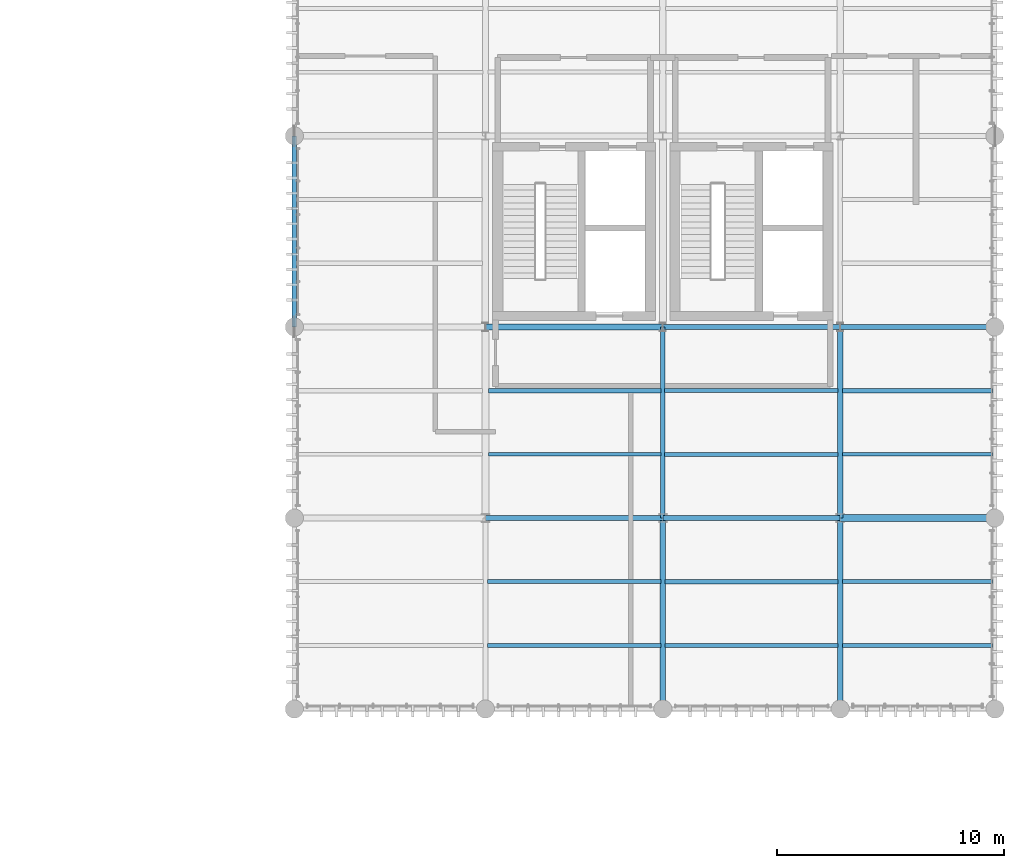
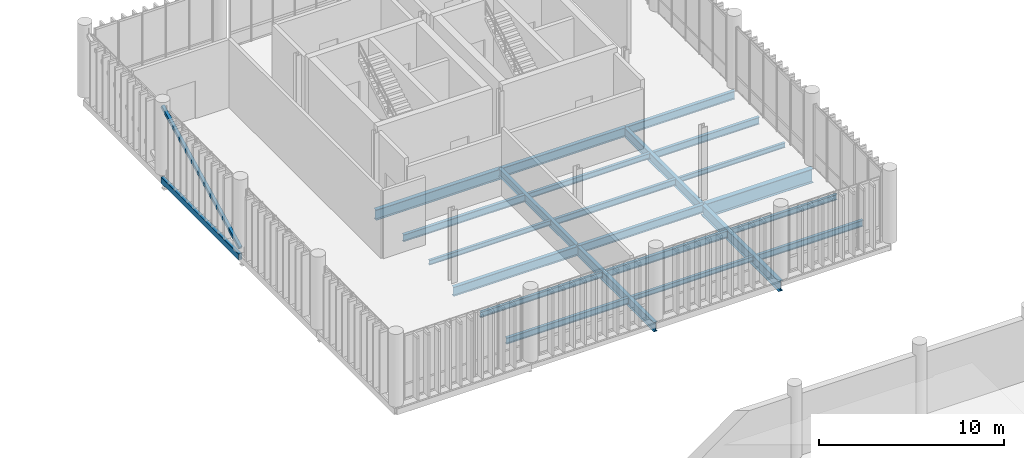
# One storey, part 56 of 94: 23 beams, 1 member.
"""IFC4 building model written with IfcOpenShell, lengths in metres."""

from ifc_helpers import new_model, si_unit, direction, frame, origin_with_axes, origin_2d_with_axis, place, context, subcontext, project, spatial, hollow_rectangle, i_section, extrude, material, material_profile, profile_set, type_object, element, save


model = new_model("IFC4")

# Units and contexts
model_context = context("Model", 3, precision=1e-05, world=origin_with_axes(), true_north=direction((0.0, 1.0)))
body_context = subcontext(model_context, "Body", "Model", "MODEL_VIEW")
ifc_project = project(units=[si_unit("LENGTHUNIT", "METRE"), si_unit("AREAUNIT", "SQUARE_METRE"), si_unit("VOLUMEUNIT", "CUBIC_METRE"), si_unit("PLANEANGLEUNIT", "RADIAN"), si_unit("MASSUNIT", "GRAM", prefix="KILO"), si_unit("THERMODYNAMICTEMPERATUREUNIT", "KELVIN")], contexts=[model_context])

# Site, building, storey
site_placement = place(None, origin_with_axes())
site = spatial("IfcSite", under=ifc_project, at=site_placement, CompositionType="ELEMENT")
building_placement = place(site_placement, origin_with_axes())
building = spatial("IfcBuilding", under=site, at=building_placement, Name="Montbau Bow Law Courts", CompositionType="ELEMENT")
storey_placement = place(building_placement, frame((0.0, 0.0, 15.6), z_axis=(0.0, 0.0, 1.0), x_axis=(1.0, 0.0, 0.0)))
storey = spatial("IfcBuildingStorey", under=building, at=storey_placement, Name="L03", CompositionType="ELEMENT", Elevation=15.6)

# Beams
ifc_material_1 = material(Name="Steel CSA G40.21 Grade 350W (350 MPa)", Category="steel")
ifc_material_profile_1 = material_profile(ifc_material_1, i_section(OverallWidth=0.306, OverallDepth=0.919, WebThickness=0.0173, FlangeThickness=0.0279, at=origin_2d_with_axis()), Name="W920X253", Category="Main", Priority=0)
ifc_profile_set_1 = profile_set([ifc_material_profile_1], Name="Steel CSA G40.21 Grade 350W (350 MPa)")
beam_type_1 = type_object("IfcBeamType", Name="B-FLR-01", PredefinedType="BEAM", material=ifc_profile_set_1)
beam_1_placement = place(None, frame((162.6, 78.0, 14.8), z_axis=(1.0, 0.0, 0.0), x_axis=(0.0, 1.0, 0.0)))
element("IfcBeam", 1, at=beam_1_placement, inside=storey, type_object=beam_type_1, Name="BM-L03-S1212:bm2_1215", PredefinedType="BEAM", context=body_context, shape_type="SweptSolid", body=[
    extrude(i_section(OverallWidth=0.306, OverallDepth=0.919, WebThickness=0.0173, FlangeThickness=0.0279, at=origin_2d_with_axis()), origin_with_axes(), (0.0, 0.0, 1.0), 6.8),
])
ifc_material_profile_2 = material_profile(ifc_material_1, i_section(OverallWidth=0.254, OverallDepth=0.688, WebThickness=0.0131, FlangeThickness=0.0211, at=origin_2d_with_axis()), Name="W690X152", Category="Main", Priority=0)
ifc_profile_set_2 = profile_set([ifc_material_profile_2], Name="Steel CSA G40.21 Grade 350W (350 MPa)")
beam_type_2 = type_object("IfcBeamType", Name="B-FLR-04", PredefinedType="BEAM", material=ifc_profile_set_2)
beam_2_placement = place(None, frame((147.0, 86.4, 14.916), z_axis=(1.0, 0.0, 0.0), x_axis=(0.0, 1.0, 0.0)))
element("IfcBeam", 2, at=beam_2_placement, inside=storey, type_object=beam_type_2, Name="BM-L03-S1214:bm2_1217", PredefinedType="BEAM", context=body_context, shape_type="SweptSolid", body=[
    extrude(i_section(OverallWidth=0.254, OverallDepth=0.688, WebThickness=0.0131, FlangeThickness=0.0211, at=origin_2d_with_axis()), origin_with_axes(), (0.0, 0.0, 1.0), 7.8),
])
beam_3_placement = place(None, frame((162.6, 69.6, 14.916), z_axis=(0.0, 1.0, 0.0), x_axis=(-1.0, 0.0, 0.0)))
element("IfcBeam", 3, at=beam_3_placement, inside=storey, type_object=beam_type_2, Name="BM-L03-S1237:bm2_1240", PredefinedType="BEAM", context=body_context, shape_type="SweptSolid", body=[
    extrude(i_section(OverallWidth=0.254, OverallDepth=0.688, WebThickness=0.0131, FlangeThickness=0.0211, at=origin_2d_with_axis()), origin_with_axes(), (0.0, 0.0, 1.0), 8.4),
])
ifc_material_profile_3 = material_profile(ifc_material_1, i_section(OverallWidth=0.229, OverallDepth=0.612, WebThickness=0.0119, FlangeThickness=0.0196, at=origin_2d_with_axis()), Name="W610X125", Category="Main", Priority=0)
ifc_profile_set_3 = profile_set([ifc_material_profile_3], Name="Steel CSA G40.21 Grade 350W (350 MPa)")
beam_type_3 = type_object("IfcBeamType", Name="B-FLR-05", PredefinedType="BEAM", material=ifc_profile_set_3)
for number, where, z_axis, x_axis, name in (
    (4, (147.0, 78.0, 14.954), (1.0, 0.0, 0.0), (0.0, 1.0, 0.0), "BM-L03-S1210:bm2_1213"),
    (5, (154.8, 86.4, 14.954), (1.0, 0.0, 0.0), (0.0, 1.0, 0.0), "BM-L03-S1215:bm2_1218"),
):
    element("IfcBeam", number, at=place(None, frame(where, z_axis=z_axis, x_axis=x_axis)), inside=storey, type_object=beam_type_3, Name=name, PredefinedType="BEAM", context=body_context, shape_type="SweptSolid", body=[
        extrude(i_section(OverallWidth=0.229, OverallDepth=0.612, WebThickness=0.0119, FlangeThickness=0.0196, at=origin_2d_with_axis()), origin_with_axes(), (0.0, 0.0, 1.0), 7.8),
    ])
for number, where, z_axis, x_axis, name in (
    (6, (154.8, 69.6, 14.954), (0.0, 1.0, 0.0), (-1.0, 0.0, 0.0), "BM-L03-S1233:bm2_1236"),
    (7, (162.6, 78.0, 14.954), (0.0, 1.0, 0.0), (-1.0, 0.0, 0.0), "BM-L03-S1238:bm2_1241"),
):
    element("IfcBeam", number, at=place(None, frame(where, z_axis=z_axis, x_axis=x_axis)), inside=storey, type_object=beam_type_3, Name=name, PredefinedType="BEAM", context=body_context, shape_type="SweptSolid", body=[
        extrude(i_section(OverallWidth=0.229, OverallDepth=0.612, WebThickness=0.0119, FlangeThickness=0.0196, at=origin_2d_with_axis()), origin_with_axes(), (0.0, 0.0, 1.0), 8.4),
    ])
ifc_material_profile_4 = material_profile(ifc_material_1, i_section(OverallWidth=0.21, OverallDepth=0.537, WebThickness=0.0109, FlangeThickness=0.0174, at=origin_2d_with_axis()), Name="W530X101", Category="Main", Priority=0)
ifc_profile_set_4 = profile_set([ifc_material_profile_4], Name="Steel CSA G40.21 Grade 350W (350 MPa)")
beam_type_4 = type_object("IfcBeamType", Name="B-FLR-06", PredefinedType="BEAM", material=ifc_profile_set_4)
beam_4_placement = place(None, frame((154.8, 78.0, 14.992), z_axis=(1.0, 0.0, 0.0), x_axis=(0.0, 1.0, 0.0)))
element("IfcBeam", 8, at=beam_4_placement, inside=storey, type_object=beam_type_4, Name="BM-L03-S1211:bm2_1214", PredefinedType="BEAM", context=body_context, shape_type="SweptSolid", body=[
    extrude(i_section(OverallWidth=0.21, OverallDepth=0.537, WebThickness=0.0109, FlangeThickness=0.0174, at=origin_2d_with_axis()), origin_with_axes(), (0.0, 0.0, 1.0), 7.8),
])
beam_5_placement = place(None, frame((162.6, 86.4, 14.992), z_axis=(1.0, 0.0, 0.0), x_axis=(0.0, 1.0, 0.0)))
element("IfcBeam", 9, at=beam_5_placement, inside=storey, type_object=beam_type_4, Name="BM-L03-S1216:bm2_1219", PredefinedType="BEAM", context=body_context, shape_type="SweptSolid", body=[
    extrude(i_section(OverallWidth=0.21, OverallDepth=0.537, WebThickness=0.0109, FlangeThickness=0.0174, at=origin_2d_with_axis()), origin_with_axes(), (0.0, 0.0, 1.0), 6.8),
])
beam_6_placement = place(None, frame((154.8, 78.0, 14.992), z_axis=(0.0, 1.0, 0.0), x_axis=(-1.0, 0.0, 0.0)))
element("IfcBeam", 10, at=beam_6_placement, inside=storey, type_object=beam_type_4, Name="BM-L03-S1234:bm2_1237", PredefinedType="BEAM", context=body_context, shape_type="SweptSolid", body=[
    extrude(i_section(OverallWidth=0.21, OverallDepth=0.537, WebThickness=0.0109, FlangeThickness=0.0174, at=origin_2d_with_axis()), origin_with_axes(), (0.0, 0.0, 1.0), 8.4),
])
ifc_material_profile_5 = material_profile(ifc_material_1, i_section(OverallWidth=0.191, OverallDepth=0.46, WebThickness=0.0099, FlangeThickness=0.016, at=origin_2d_with_axis()), Name="W460X82", Category="Main", Priority=0)
ifc_profile_set_5 = profile_set([ifc_material_profile_5], Name="Steel CSA G40.21 Grade 350W (350 MPa)")
beam_type_5 = type_object("IfcBeamType", Name="B-JST-01", PredefinedType="JOIST", material=ifc_profile_set_5)
beam_7_placement = place(None, frame((147.129, 83.6, 15.03), z_axis=(1.0, 0.0, 0.0), x_axis=(0.0, 1.0, 0.0)))
element("IfcBeam", 11, at=beam_7_placement, inside=storey, type_object=beam_type_5, Name="JST-L03-S0648:jst2_0648", PredefinedType="JOIST", context=body_context, shape_type="SweptSolid", body=[
    extrude(i_section(OverallWidth=0.191, OverallDepth=0.46, WebThickness=0.0099, FlangeThickness=0.016, at=origin_2d_with_axis()), origin_with_axes(), (0.0, 0.0, 1.0), 7.59),
])
beam_8_placement = place(None, frame((154.891, 75.2, 15.03), z_axis=(1.0, 0.0, 0.0), x_axis=(0.0, 1.0, 0.0)))
element("IfcBeam", 12, at=beam_8_placement, inside=storey, type_object=beam_type_5, Name="JST-L03-S0652:jst2_0652", PredefinedType="JOIST", context=body_context, shape_type="SweptSolid", body=[
    extrude(i_section(OverallWidth=0.191, OverallDepth=0.46, WebThickness=0.0099, FlangeThickness=0.016, at=origin_2d_with_axis()), origin_with_axes(), (0.0, 0.0, 1.0), 7.606),
])
beam_9_placement = place(None, frame((162.69, 83.6, 15.03), z_axis=(1.0, 0.0, 0.0), x_axis=(0.0, 1.0, 0.0)))
element("IfcBeam", 13, at=beam_9_placement, inside=storey, type_object=beam_type_5, Name="JST-L03-S0660:jst2_0660", PredefinedType="JOIST", context=body_context, shape_type="SweptSolid", body=[
    extrude(i_section(OverallWidth=0.191, OverallDepth=0.46, WebThickness=0.0099, FlangeThickness=0.016, at=origin_2d_with_axis()), origin_with_axes(), (0.0, 0.0, 1.0), 6.63),
])
ifc_material_profile_6 = material_profile(ifc_material_1, i_section(OverallWidth=0.179, OverallDepth=0.41, WebThickness=0.0088, FlangeThickness=0.0144, at=origin_2d_with_axis()), Name="W410X67", Category="Main", Priority=0)
ifc_profile_set_6 = profile_set([ifc_material_profile_6], Name="Steel CSA G40.21 Grade 350W (350 MPa)")
beam_type_6 = type_object("IfcBeamType", Name="B-JST-02", PredefinedType="JOIST", material=ifc_profile_set_6)
for number, where, z_axis, x_axis, name in (
    (14, (147.081, 72.4, 15.055), (1.0, 0.0, 0.0), (0.0, 1.0, 0.0), "JST-L03-S0645:jst2_0645"),
    (15, (154.881, 80.8, 15.055), (1.0, 0.0, 0.0), (0.0, 1.0, 0.0), "JST-L03-S0653:jst2_0653"),
):
    element("IfcBeam", number, at=place(None, frame(where, z_axis=z_axis, x_axis=x_axis)), inside=storey, type_object=beam_type_6, Name=name, PredefinedType="JOIST", context=body_context, shape_type="SweptSolid", body=[
        extrude(i_section(OverallWidth=0.179, OverallDepth=0.41, WebThickness=0.0088, FlangeThickness=0.0144, at=origin_2d_with_axis()), origin_with_axes(), (0.0, 0.0, 1.0), 7.629),
    ])
beam_10_placement = place(None, frame((162.703, 72.4, 15.055), z_axis=(1.0, 0.0, 0.0), x_axis=(0.0, 1.0, 0.0)))
element("IfcBeam", 16, at=beam_10_placement, inside=storey, type_object=beam_type_6, Name="JST-L03-S0657:jst2_0657", PredefinedType="JOIST", context=body_context, shape_type="SweptSolid", body=[
    extrude(i_section(OverallWidth=0.179, OverallDepth=0.41, WebThickness=0.0088, FlangeThickness=0.0144, at=origin_2d_with_axis()), origin_with_axes(), (0.0, 0.0, 1.0), 6.617),
])
ifc_material_profile_7 = material_profile(ifc_material_1, i_section(OverallWidth=0.172, OverallDepth=0.358, WebThickness=0.0079, FlangeThickness=0.0131, at=origin_2d_with_axis()), Name="W360X57", Category="Main", Priority=0)
ifc_profile_set_7 = profile_set([ifc_material_profile_7], Name="Steel CSA G40.21 Grade 350W (350 MPa)")
beam_type_7 = type_object("IfcBeamType", Name="B-JST-03", PredefinedType="JOIST", material=ifc_profile_set_7)
for number, where, z_axis, x_axis, name in (
    (17, (147.081, 75.2, 15.081), (1.0, 0.0, 0.0), (0.0, 1.0, 0.0), "JST-L03-S0646:jst2_0646"),
    (18, (154.881, 83.6, 15.081), (1.0, 0.0, 0.0), (0.0, 1.0, 0.0), "JST-L03-S0654:jst2_0654"),
):
    element("IfcBeam", number, at=place(None, frame(where, z_axis=z_axis, x_axis=x_axis)), inside=storey, type_object=beam_type_7, Name=name, PredefinedType="JOIST", context=body_context, shape_type="SweptSolid", body=[
        extrude(i_section(OverallWidth=0.172, OverallDepth=0.358, WebThickness=0.0079, FlangeThickness=0.0131, at=origin_2d_with_axis()), origin_with_axes(), (0.0, 0.0, 1.0), 7.629),
    ])
beam_11_placement = place(None, frame((162.703, 75.2, 15.081), z_axis=(1.0, 0.0, 0.0), x_axis=(0.0, 1.0, 0.0)))
element("IfcBeam", 19, at=beam_11_placement, inside=storey, type_object=beam_type_7, Name="JST-L03-S0658:jst2_0658", PredefinedType="JOIST", context=body_context, shape_type="SweptSolid", body=[
    extrude(i_section(OverallWidth=0.172, OverallDepth=0.358, WebThickness=0.0079, FlangeThickness=0.0131, at=origin_2d_with_axis()), origin_with_axes(), (0.0, 0.0, 1.0), 6.617),
])
ifc_material_profile_8 = material_profile(ifc_material_1, i_section(OverallWidth=0.166, OverallDepth=0.313, WebThickness=0.0066, FlangeThickness=0.0112, at=origin_2d_with_axis()), Name="W310X45", Category="Main", Priority=0)
ifc_profile_set_8 = profile_set([ifc_material_profile_8], Name="Steel CSA G40.21 Grade 350W (350 MPa)")
beam_type_8 = type_object("IfcBeamType", Name="B-JST-04", PredefinedType="JOIST", material=ifc_profile_set_8)
beam_12_placement = place(None, frame((147.129, 80.8, 15.104), z_axis=(1.0, 0.0, 0.0), x_axis=(0.0, 1.0, 0.0)))
element("IfcBeam", 20, at=beam_12_placement, inside=storey, type_object=beam_type_8, Name="JST-L03-S0647:jst2_0647", PredefinedType="JOIST", context=body_context, shape_type="SweptSolid", body=[
    extrude(i_section(OverallWidth=0.166, OverallDepth=0.313, WebThickness=0.0066, FlangeThickness=0.0112, at=origin_2d_with_axis()), origin_with_axes(), (0.0, 0.0, 1.0), 7.59),
])
beam_13_placement = place(None, frame((154.891, 72.4, 15.104), z_axis=(1.0, 0.0, 0.0), x_axis=(0.0, 1.0, 0.0)))
element("IfcBeam", 21, at=beam_13_placement, inside=storey, type_object=beam_type_8, Name="JST-L03-S0651:jst2_0651", PredefinedType="JOIST", context=body_context, shape_type="SweptSolid", body=[
    extrude(i_section(OverallWidth=0.166, OverallDepth=0.313, WebThickness=0.0066, FlangeThickness=0.0112, at=origin_2d_with_axis()), origin_with_axes(), (0.0, 0.0, 1.0), 7.606),
])
beam_14_placement = place(None, frame((162.69, 80.8, 15.104), z_axis=(1.0, 0.0, 0.0), x_axis=(0.0, 1.0, 0.0)))
element("IfcBeam", 22, at=beam_14_placement, inside=storey, type_object=beam_type_8, Name="JST-L03-S0659:jst2_0659", PredefinedType="JOIST", context=body_context, shape_type="SweptSolid", body=[
    extrude(i_section(OverallWidth=0.166, OverallDepth=0.313, WebThickness=0.0066, FlangeThickness=0.0112, at=origin_2d_with_axis()), origin_with_axes(), (0.0, 0.0, 1.0), 6.63),
])
ifc_material_2 = material(Name="Steel CSA G40.21 Grade 350WT (350 MPa)", Category="steel")
ifc_material_profile_9 = material_profile(ifc_material_2, hollow_rectangle(XDim=0.203, YDim=0.406, WallThickness=0.0127, InnerFilletRadius=0.0254, OuterFilletRadius=0.0127, at=origin_2d_with_axis()), Name="HSS406X203X13", Category="Main", Priority=0)
ifc_profile_set_9 = profile_set([ifc_material_profile_9], Name="Steel CSA G40.21 Grade 350WT (350 MPa)")
beam_type_9 = type_object("IfcBeamType", Name="B-SPN-01", PredefinedType="SPANDREL", material=ifc_profile_set_9)
beam_15_placement = place(None, frame((138.6, 86.4, 15.057), z_axis=(0.0, 1.0, 0.0), x_axis=(-1.0, 0.0, 0.0)))
element("IfcBeam", 23, at=beam_15_placement, inside=storey, type_object=beam_type_9, Name="SPN-L03-S1227:bm2_1230", PredefinedType="SPANDREL", context=body_context, shape_type="SweptSolid", body=[
    extrude(hollow_rectangle(XDim=0.203, YDim=0.406, WallThickness=0.0127, InnerFilletRadius=0.0254, OuterFilletRadius=0.0127, at=origin_2d_with_axis()), origin_with_axes(), (0.0, 0.0, 1.0), 8.4),
])

# Member
ifc_material_profile_10 = material_profile(ifc_material_1, hollow_rectangle(XDim=0.203, YDim=0.203, WallThickness=0.0111, InnerFilletRadius=0.0222, OuterFilletRadius=0.0111, at=origin_2d_with_axis()), Name="HSS203X203X11", Category="Main", Priority=0)
ifc_profile_set_10 = profile_set([ifc_material_profile_10], Name="Steel CSA G40.21 Grade 350W (350 MPa)")
member_type = type_object("IfcMemberType", Name="M-BRC-02", PredefinedType="BRACE", material=ifc_profile_set_10)
member_placement = place(None, frame((138.6, 86.4, 15.65), z_axis=(0.0, 0.89199296, 0.452049289), x_axis=(-1.0, 0.0, 0.0)))
element("IfcMember", 24, at=member_placement, inside=storey, type_object=member_type, Name="Diagonal brace CBF-L03-062A", PredefinedType="BRACE", context=body_context, shape_type="SweptSolid", body=[
    extrude(hollow_rectangle(XDim=0.203, YDim=0.203, WallThickness=0.0111, InnerFilletRadius=0.0222, OuterFilletRadius=0.0111, at=origin_2d_with_axis()), origin_with_axes(), (0.0, 0.0, 1.0), 9.417115),
])

save(model, "model.ifc")
